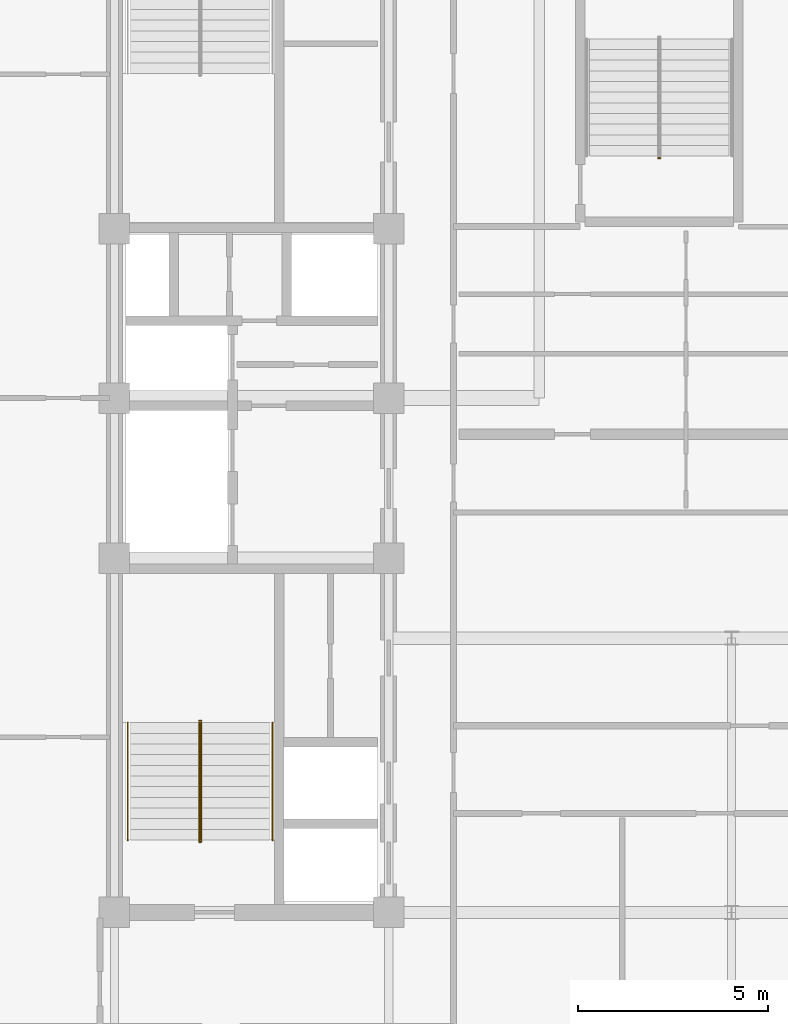
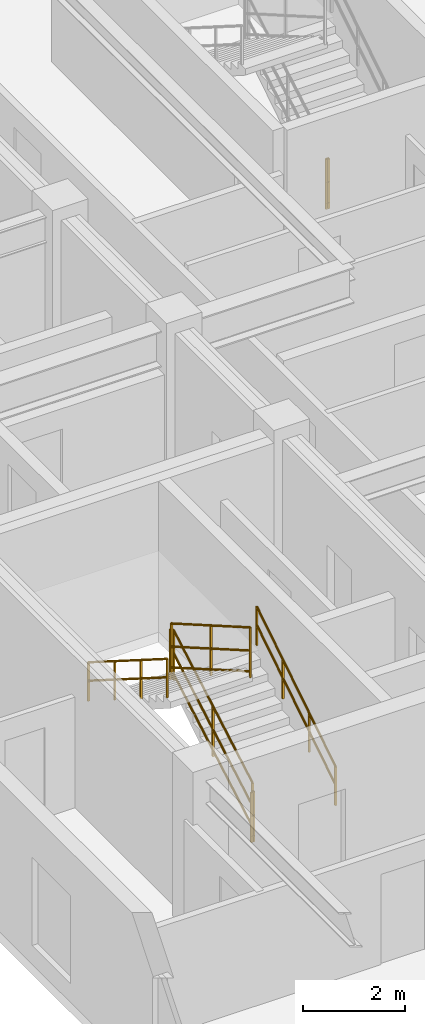
# One storey, part 8 of 10: 7 railings.
"""IFC4 building model written with IfcOpenShell, lengths in metres."""

from ifc_helpers import new_model, entity, si_unit, converted_unit, direction, frame, origin_with_axes, origin_2d_with_axis, place, context, subcontext, project, spatial, rectangle, circle, extrude, material, type_object, element, save


model = new_model("IFC4")

# Units and contexts
model_context = context("Model", 3, precision=1e-05, world=origin_with_axes(), true_north=direction((0.0, 1.0)))
body_context = subcontext(model_context, "Body", "Model", "MODEL_VIEW")
ifc_project = project(units=[si_unit("LENGTHUNIT", "METRE"), si_unit("AREAUNIT", "SQUARE_METRE"), si_unit("VOLUMEUNIT", "CUBIC_METRE"), converted_unit("PLANEANGLEUNIT", "DEGREE", entity("IfcPlaneAngleMeasure", 0.017453292519943295), si_unit("PLANEANGLEUNIT", "RADIAN"), dimensions=[0, 0, 0, 0, 0, 0, 0]), si_unit("MASSUNIT", "GRAM", prefix="KILO"), si_unit("THERMODYNAMICTEMPERATUREUNIT", "KELVIN")], contexts=[model_context])

# Site, building, storey
site_placement = place(None, origin_with_axes())
site = spatial("IfcSite", under=ifc_project, at=site_placement, CompositionType="ELEMENT")
building_placement = place(site_placement, origin_with_axes())
building = spatial("IfcBuilding", under=site, at=building_placement, Name="Varnlund Millrace Tower", CompositionType="ELEMENT")
storey_placement = place(building_placement, frame((0.0, 0.0, 284.1), z_axis=(0.0, 0.0, 1.0), x_axis=(1.0, 0.0, 0.0)))
storey = spatial("IfcBuildingStorey", under=building, at=storey_placement, Name="L70", CompositionType="ELEMENT", Elevation=284.1)

# Railings
ifc_material_1 = material(Name="Painted steel stair well balustrade guard", Category="steel")
railing_type_1 = type_object("IfcRailingType", Name="Type-StairGuard-1150", PredefinedType="GUARDRAIL", material=ifc_material_1)
railing_1_placement = place(storey_placement, frame((0.0, 0.0, -284.1), z_axis=(0.0, 0.0, 1.0), x_axis=(1.0, 0.0, 0.0)))
element("IfcRailing", 1, at=railing_1_placement, inside=storey, type_object=railing_type_1, Name="Type-StairGuard-1150", PredefinedType="GUARDRAIL", context=body_context, shape_type="SweptSolid", body=[
    extrude(circle(Radius=0.024, at=origin_2d_with_axis()), frame((13.675, 12.7, 285.427273), z_axis=(0.0, 0.866696, 0.498836), x_axis=(-1.0, 0.0, 0.0)), (0.0, 0.0, 1.0), 3.553725),
    extrude(circle(Radius=0.024, at=origin_2d_with_axis()), frame((13.675, 12.7, 284.377273), z_axis=(0.0, 0.866696, 0.498836), x_axis=(-1.0, 0.0, 0.0)), (0.0, 0.0, 1.0), 3.553725),
    extrude(circle(Radius=0.024, at=origin_2d_with_axis()), frame((13.675, 12.7, 284.875273), z_axis=(0.0, 0.866696, 0.498836), x_axis=(-1.0, 0.0, 0.0)), (0.0, 0.0, 1.0), 3.553725),
    extrude(rectangle(XDim=0.04, YDim=0.04, at=origin_2d_with_axis()), frame((13.675, 12.7, 284.237273), z_axis=(0.0, 0.0, 1.0), x_axis=(1.0, 0.0, 0.0)), (0.0, 0.0, 1.0), 1.19),
    extrude(rectangle(XDim=0.04, YDim=0.04, at=origin_2d_with_axis()), frame((13.675, 14.24, 285.123636), z_axis=(0.0, 0.0, 1.0), x_axis=(1.0, 0.0, 0.0)), (0.0, 0.0, 1.0), 1.19),
    extrude(rectangle(XDim=0.04, YDim=0.04, at=origin_2d_with_axis()), frame((13.675, 15.78, 286.01), z_axis=(0.0, 0.0, 1.0), x_axis=(1.0, 0.0, 0.0)), (0.0, 0.0, 1.0), 1.19),
])
railing_2_placement = place(storey_placement, frame((0.0, 0.0, -284.1), z_axis=(0.0, 0.0, 1.0), x_axis=(1.0, 0.0, 0.0)))
element("IfcRailing", 2, at=railing_2_placement, inside=storey, type_object=railing_type_1, Name="Type-StairGuard-1150", PredefinedType="GUARDRAIL", context=body_context, shape_type="SweptSolid", body=[
    extrude(circle(Radius=0.024, at=origin_2d_with_axis()), frame((13.625, 15.83, 287.2), z_axis=(1.0, 0.0, 0.0), x_axis=(0.0, 1.0, 0.0)), (0.0, 0.0, 1.0), 0.05),
    extrude(circle(Radius=0.024, at=origin_2d_with_axis()), frame((13.625, 15.83, 286.15), z_axis=(1.0, 0.0, 0.0), x_axis=(0.0, 1.0, 0.0)), (0.0, 0.0, 1.0), 0.05),
    extrude(circle(Radius=0.024, at=origin_2d_with_axis()), frame((13.625, 15.83, 286.648), z_axis=(1.0, 0.0, 0.0), x_axis=(0.0, 1.0, 0.0)), (0.0, 0.0, 1.0), 0.05),
    extrude(rectangle(XDim=0.04, YDim=0.04, at=origin_2d_with_axis()), frame((13.625, 15.83, 286.01), z_axis=(0.0, 0.0, 1.0), x_axis=(1.0, 0.0, 0.0)), (0.0, 0.0, 1.0), 1.19),
    extrude(rectangle(XDim=0.04, YDim=0.04, at=origin_2d_with_axis()), frame((13.675, 15.83, 286.01), z_axis=(0.0, 0.0, 1.0), x_axis=(1.0, 0.0, 0.0)), (0.0, 0.0, 1.0), 1.19),
])
railing_3_placement = place(storey_placement, frame((0.0, 0.0, -284.1), z_axis=(0.0, 0.0, 1.0), x_axis=(1.0, 0.0, 0.0)))
element("IfcRailing", 3, at=railing_3_placement, inside=storey, type_object=railing_type_1, Name="Type-StairGuard-1150", PredefinedType="GUARDRAIL", context=body_context, shape_type="SweptSolid", body=[
    extrude(circle(Radius=0.024, at=origin_2d_with_axis()), frame((13.625, 15.78, 287.377273), z_axis=(0.0, -0.866696, 0.498836), x_axis=(1.0, 0.0, 0.0)), (0.0, 0.0, 1.0), 3.553725),
    extrude(circle(Radius=0.024, at=origin_2d_with_axis()), frame((13.625, 15.78, 286.327273), z_axis=(0.0, -0.866696, 0.498836), x_axis=(1.0, 0.0, 0.0)), (0.0, 0.0, 1.0), 3.553725),
    extrude(circle(Radius=0.024, at=origin_2d_with_axis()), frame((13.625, 15.78, 286.825273), z_axis=(0.0, -0.866696, 0.498836), x_axis=(1.0, 0.0, 0.0)), (0.0, 0.0, 1.0), 3.553725),
    extrude(rectangle(XDim=0.04, YDim=0.04, at=origin_2d_with_axis()), frame((13.625, 15.78, 286.187273), z_axis=(0.0, 0.0, 1.0), x_axis=(1.0, 0.0, 0.0)), (0.0, 0.0, 1.0), 1.19),
    extrude(rectangle(XDim=0.04, YDim=0.04, at=origin_2d_with_axis()), frame((13.625, 14.24, 287.073636), z_axis=(0.0, 0.0, 1.0), x_axis=(1.0, 0.0, 0.0)), (0.0, 0.0, 1.0), 1.19),
    extrude(rectangle(XDim=0.04, YDim=0.04, at=origin_2d_with_axis()), frame((13.625, 12.7, 287.96), z_axis=(0.0, 0.0, 1.0), x_axis=(1.0, 0.0, 0.0)), (0.0, 0.0, 1.0), 1.19),
])
railing_4_placement = place(storey_placement, frame((0.0, 0.0, -284.1), z_axis=(0.0, 0.0, 1.0), x_axis=(1.0, 0.0, 0.0)))
element("IfcRailing", 4, at=railing_4_placement, inside=storey, type_object=railing_type_1, Name="Type-StairGuard-1150", PredefinedType="GUARDRAIL", context=body_context, shape_type="SweptSolid", body=[
    extrude(circle(Radius=0.024, at=origin_2d_with_axis()), frame((13.625, 12.65, 285.25), z_axis=(1.0, 0.0, 0.0), x_axis=(0.0, 1.0, 0.0)), (0.0, 0.0, 1.0), 0.05),
    extrude(circle(Radius=0.024, at=origin_2d_with_axis()), frame((13.625, 12.65, 284.2), z_axis=(1.0, 0.0, 0.0), x_axis=(0.0, 1.0, 0.0)), (0.0, 0.0, 1.0), 0.05),
    extrude(circle(Radius=0.024, at=origin_2d_with_axis()), frame((13.625, 12.65, 284.698), z_axis=(1.0, 0.0, 0.0), x_axis=(0.0, 1.0, 0.0)), (0.0, 0.0, 1.0), 0.05),
    extrude(rectangle(XDim=0.04, YDim=0.04, at=origin_2d_with_axis()), frame((13.625, 12.65, 284.06), z_axis=(0.0, 0.0, 1.0), x_axis=(1.0, 0.0, 0.0)), (0.0, 0.0, 1.0), 1.19),
    extrude(rectangle(XDim=0.04, YDim=0.04, at=origin_2d_with_axis()), frame((13.675, 12.65, 284.06), z_axis=(0.0, 0.0, 1.0), x_axis=(1.0, 0.0, 0.0)), (0.0, 0.0, 1.0), 1.19),
])
railing_5_placement = place(storey_placement, frame((0.0, 0.0, -284.1), z_axis=(0.0, 0.0, 1.0), x_axis=(1.0, 0.0, 0.0)))
element("IfcRailing", 5, at=railing_5_placement, inside=storey, type_object=railing_type_1, Name="Type-StairGuard-1150", PredefinedType="GUARDRAIL", context=body_context, shape_type="SweptSolid", body=[
    extrude(circle(Radius=0.024, at=origin_2d_with_axis()), frame((25.675, 30.6, 285.25), z_axis=(1.0, 0.0, 0.0), x_axis=(0.0, 1.0, 0.0)), (0.0, 0.0, 1.0), 0.05),
    extrude(circle(Radius=0.024, at=origin_2d_with_axis()), frame((25.675, 30.6, 284.2), z_axis=(1.0, 0.0, 0.0), x_axis=(0.0, 1.0, 0.0)), (0.0, 0.0, 1.0), 0.05),
    extrude(circle(Radius=0.024, at=origin_2d_with_axis()), frame((25.675, 30.6, 284.698), z_axis=(1.0, 0.0, 0.0), x_axis=(0.0, 1.0, 0.0)), (0.0, 0.0, 1.0), 0.05),
    extrude(rectangle(XDim=0.04, YDim=0.04, at=origin_2d_with_axis()), frame((25.675, 30.6, 284.06), z_axis=(0.0, 0.0, 1.0), x_axis=(1.0, 0.0, 0.0)), (0.0, 0.0, 1.0), 1.19),
    extrude(rectangle(XDim=0.04, YDim=0.04, at=origin_2d_with_axis()), frame((25.725, 30.6, 284.06), z_axis=(0.0, 0.0, 1.0), x_axis=(1.0, 0.0, 0.0)), (0.0, 0.0, 1.0), 1.19),
])
ifc_material_2 = material(Name="Brushed architectural bronze stair handrail", Category="aluminium")
railing_type_2 = type_object("IfcRailingType", Name="Type-StairHandrail-900", PredefinedType="HANDRAIL", material=ifc_material_2)
railing_6_placement = place(storey_placement, frame((0.0, 0.0, -284.1), z_axis=(0.0, 0.0, 1.0), x_axis=(1.0, 0.0, 0.0)))
element("IfcRailing", 6, at=railing_6_placement, inside=storey, type_object=railing_type_2, Name="Type-StairHandrail-900", PredefinedType="HANDRAIL", context=body_context, shape_type="SweptSolid", body=[
    extrude(circle(Radius=0.024, at=origin_2d_with_axis()), frame((15.55, 12.7, 285.156995), z_axis=(0.0, 0.844902, 0.534922), x_axis=(-1.0, 0.0, 0.0)), (0.0, 0.0, 1.0), 3.645394),
    extrude(circle(Radius=0.024, at=origin_2d_with_axis()), frame((15.55, 12.7, 284.717134), z_axis=(0.0, 0.844902, 0.534922), x_axis=(-1.0, 0.0, 0.0)), (0.0, 0.0, 1.0), 3.645394),
    extrude(rectangle(XDim=0.04, YDim=0.04, at=origin_2d_with_axis()), frame((15.55, 12.7, 284.237273), z_axis=(0.0, 0.0, 1.0), x_axis=(1.0, 0.0, 0.0)), (0.0, 0.0, 1.0), 0.919722),
    extrude(rectangle(XDim=0.04, YDim=0.04, at=origin_2d_with_axis()), frame((15.55, 13.726667, 284.887273), z_axis=(0.0, 0.0, 1.0), x_axis=(1.0, 0.0, 0.0)), (0.0, 0.0, 1.0), 0.919722),
    extrude(rectangle(XDim=0.04, YDim=0.04, at=origin_2d_with_axis()), frame((15.55, 14.753333, 285.537273), z_axis=(0.0, 0.0, 1.0), x_axis=(1.0, 0.0, 0.0)), (0.0, 0.0, 1.0), 0.919722),
    extrude(rectangle(XDim=0.04, YDim=0.04, at=origin_2d_with_axis()), frame((15.55, 15.78, 286.187273), z_axis=(0.0, 0.0, 1.0), x_axis=(1.0, 0.0, 0.0)), (0.0, 0.0, 1.0), 0.919722),
])
railing_7_placement = place(storey_placement, frame((0.0, 0.0, -284.1), z_axis=(0.0, 0.0, 1.0), x_axis=(1.0, 0.0, 0.0)))
element("IfcRailing", 7, at=railing_7_placement, inside=storey, type_object=railing_type_2, Name="Type-StairHandrail-900", PredefinedType="HANDRAIL", context=body_context, shape_type="SweptSolid", body=[
    extrude(circle(Radius=0.024, at=origin_2d_with_axis()), frame((11.75, 15.78, 287.106995), z_axis=(0.0, -0.844902, 0.534922), x_axis=(1.0, 0.0, 0.0)), (0.0, 0.0, 1.0), 3.645394),
    extrude(circle(Radius=0.024, at=origin_2d_with_axis()), frame((11.75, 15.78, 286.667134), z_axis=(0.0, -0.844902, 0.534922), x_axis=(1.0, 0.0, 0.0)), (0.0, 0.0, 1.0), 3.645394),
    extrude(rectangle(XDim=0.04, YDim=0.04, at=origin_2d_with_axis()), frame((11.75, 15.78, 286.187273), z_axis=(0.0, 0.0, 1.0), x_axis=(1.0, 0.0, 0.0)), (0.0, 0.0, 1.0), 0.919722),
    extrude(rectangle(XDim=0.04, YDim=0.04, at=origin_2d_with_axis()), frame((11.75, 14.753333, 286.837273), z_axis=(0.0, 0.0, 1.0), x_axis=(1.0, 0.0, 0.0)), (0.0, 0.0, 1.0), 0.919722),
    extrude(rectangle(XDim=0.04, YDim=0.04, at=origin_2d_with_axis()), frame((11.75, 13.726667, 287.487273), z_axis=(0.0, 0.0, 1.0), x_axis=(1.0, 0.0, 0.0)), (0.0, 0.0, 1.0), 0.919722),
    extrude(rectangle(XDim=0.04, YDim=0.04, at=origin_2d_with_axis()), frame((11.75, 12.7, 288.137273), z_axis=(0.0, 0.0, 1.0), x_axis=(1.0, 0.0, 0.0)), (0.0, 0.0, 1.0), 0.919722),
])

save(model, "model.ifc")
